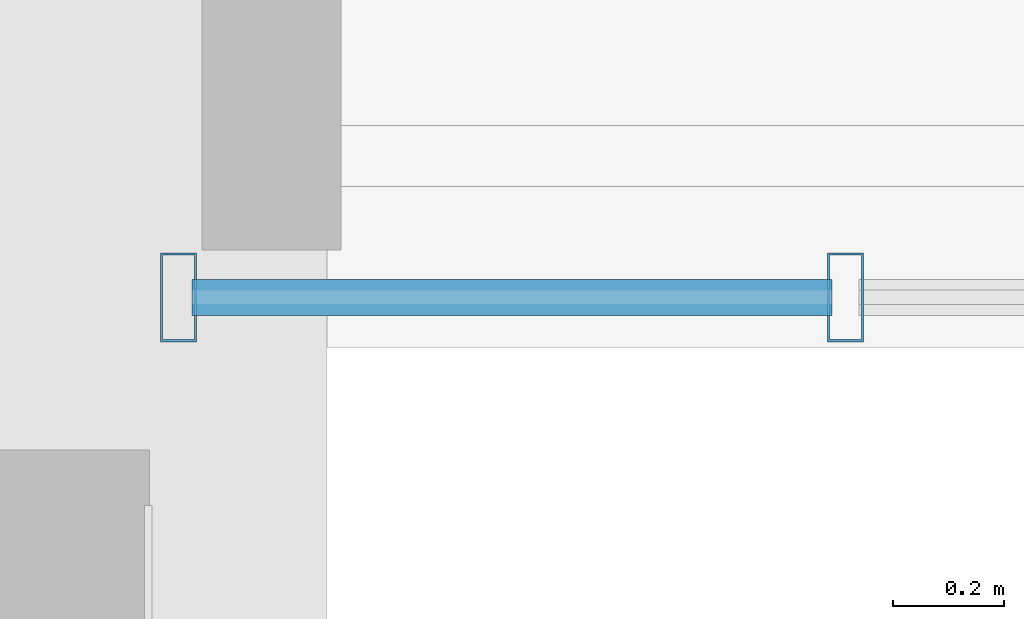
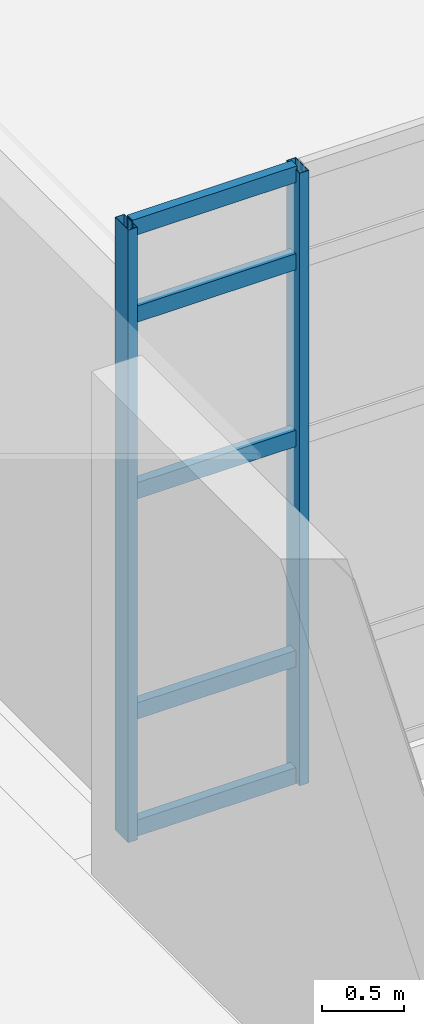
# One storey, part 37 of 100: 7 members, 1 element without a shape of its own.
"""IFC4 building model written with IfcOpenShell, lengths in metres."""

from ifc_helpers import new_model, si_unit, derived_unit, direction, frame, origin, origin_2d, place, context, subcontext, project, spatial, hollow_rectangle, extrude, material, layer, layer_set, material_profile, profile_set, type_object, element, aggregate, save


model = new_model("IFC4")

# Units and contexts
model_context = context("Model", 3, precision=1e-05, world=origin(), true_north=direction((0.0, 1.0)))
body_context = subcontext(model_context, "Body", "Model", "MODEL_VIEW")
ifc_project = project(units=[si_unit("LENGTHUNIT", "METRE"), si_unit("AREAUNIT", "SQUARE_METRE"), si_unit("VOLUMEUNIT", "CUBIC_METRE"), si_unit("PLANEANGLEUNIT", "RADIAN"), si_unit("MASSUNIT", "GRAM", prefix="KILO"), derived_unit("THERMALTRANSMITTANCEUNIT", [(si_unit("POWERUNIT", "WATT"), 1), (si_unit("LENGTHUNIT", "METRE"), -2), (si_unit("THERMODYNAMICTEMPERATUREUNIT", "KELVIN"), -1)])], contexts=[model_context])

# Site, building, storey
site_placement = place(None, origin())
site = spatial("IfcSite", under=ifc_project, at=site_placement, CompositionType="ELEMENT")
building_placement = place(site_placement, origin())
building = spatial("IfcBuilding", under=site, at=building_placement, Name="Nallur Shell Playhouse", CompositionType="ELEMENT")
storey_placement = place(building_placement, frame((0.0, 0.0, 10.199951171875)))
storey = spatial("IfcBuildingStorey", under=building, at=storey_placement, Name="L03", CompositionType="ELEMENT", Elevation=10.199951171875)

# Curtain wall, members
ifc_material_1 = material(Name="Anodised Aluminium Double-Glazed Facade System", Category="aluminium")
ifc_layer = layer(ifc_material_1, 0.1640625)
ifc_layer_set = layer_set([ifc_layer], Name="Anodised Aluminium Double-Glazed Facade System")
curtain_wall_type = type_object("IfcCurtainWallType", Name="CW-UNIT-01", PredefinedType="NOTDEFINED", material=ifc_layer_set)
curtain_wall_placement = place(storey_placement, origin())
curtain_wall = element("IfcCurtainWall", 1, at=curtain_wall_placement, inside=storey, type_object=curtain_wall_type, Name="Unitised curtain wall CW-097 (L03)", PredefinedType="NOTDEFINED")
ifc_material_2 = material(Name="Aluminium Alloy 6063-T6 Mullion", Category="aluminium")
ifc_material_profile_1 = material_profile(ifc_material_2, hollow_rectangle(XDim=0.06494140625, YDim=0.159912109375, WallThickness=0.00390625, at=origin_2d()), Name="ALU 65x160x4")
ifc_profile_set_1 = profile_set([ifc_material_profile_1], Name="Aluminium Alloy 6063-T6 Mullion")
member_type_1 = type_object("IfcMemberType", Name="MB-CW-MUL160", PredefinedType="MULLION", material=ifc_profile_set_1)
member_1_placement = place(storey_placement, frame((119.83447265625, 24.090087890625, -0.014892578125), z_axis=(0.0, 0.0, 1.0), x_axis=(-1.0, 0.0, 0.0)))
member_1 = element("IfcMember", 2, at=member_1_placement, type_object=member_type_1, Name="CW-01 mullion 3", PredefinedType="MULLION", context=body_context, shape_type="SweptSolid", body=[
    extrude(hollow_rectangle(XDim=0.06494140625, YDim=0.159912109375, WallThickness=0.00390625, at=origin_2d()), origin(), (0.0, 0.0, 1.0), 4.5390625),
])
member_2_placement = place(storey_placement, frame((118.632568359375, 24.090087890625, -0.014892578125), z_axis=(0.0, 0.0, 1.0), x_axis=(-1.0, 0.0, 0.0)))
member_2 = element("IfcMember", 3, at=member_2_placement, type_object=member_type_1, Name="CW-01 mullion 4", PredefinedType="MULLION", context=body_context, shape_type="SweptSolid", body=[
    extrude(hollow_rectangle(XDim=0.06494140625, YDim=0.159912109375, WallThickness=0.00390625, at=origin_2d()), origin(), (0.0, 0.0, 1.0), 4.5390625),
])
ifc_material_3 = material(Name="Aluminium Alloy 6063-T6 Transom", Category="aluminium")
ifc_material_profile_2 = material_profile(ifc_material_3, hollow_rectangle(XDim=0.06494140625, YDim=0.1201171875, WallThickness=0.00390625, at=origin_2d()), Name="ALU 65x120x4")
ifc_profile_set_2 = profile_set([ifc_material_profile_2], Name="Aluminium Alloy 6063-T6 Transom")
member_type_2 = type_object("IfcMemberType", Name="MB-CW-TRN120", PredefinedType="USERDEFINED", material=ifc_profile_set_2)
member_3_placement = place(storey_placement, frame((119.81005859375, 24.090087890625, 0.032470703125), z_axis=(-1.0, 0.0, 0.0), x_axis=(0.0, -1.0, 0.0)))
member_3 = element("IfcMember", 4, at=member_3_placement, type_object=member_type_2, Name="CW-01 transom 3.1", ObjectType="TRANSOM", PredefinedType="USERDEFINED", context=body_context, shape_type="SweptSolid", body=[
    extrude(hollow_rectangle(XDim=0.06494140625, YDim=0.1201171875, WallThickness=0.00390625, at=origin_2d()), origin(), (0.0, 0.0, 1.0), 1.153076171875),
])
member_4_placement = place(storey_placement, frame((119.81005859375, 24.090087890625, 0.900146484375), z_axis=(-1.0, 0.0, 0.0), x_axis=(0.0, -1.0, 0.0)))
member_4 = element("IfcMember", 5, at=member_4_placement, type_object=member_type_2, Name="CW-01 transom 3.2", ObjectType="TRANSOM", PredefinedType="USERDEFINED", context=body_context, shape_type="SweptSolid", body=[
    extrude(hollow_rectangle(XDim=0.06494140625, YDim=0.1201171875, WallThickness=0.00390625, at=origin_2d()), origin(), (0.0, 0.0, 1.0), 1.153076171875),
])
member_5_placement = place(storey_placement, frame((119.81005859375, 24.090087890625, 2.531005859375), z_axis=(-1.0, 0.0, 0.0), x_axis=(0.0, -1.0, 0.0)))
member_5 = element("IfcMember", 6, at=member_5_placement, type_object=member_type_2, Name="CW-01 transom 3.3", ObjectType="TRANSOM", PredefinedType="USERDEFINED", context=body_context, shape_type="SweptSolid", body=[
    extrude(hollow_rectangle(XDim=0.06494140625, YDim=0.1201171875, WallThickness=0.00390625, at=origin_2d()), origin(), (0.0, 0.0, 1.0), 1.153076171875),
])
member_6_placement = place(storey_placement, frame((119.81005859375, 24.090087890625, 3.840087890625), z_axis=(-1.0, 0.0, 0.0), x_axis=(0.0, -1.0, 0.0)))
member_6 = element("IfcMember", 7, at=member_6_placement, type_object=member_type_2, Name="CW-01 transom 3.4", ObjectType="TRANSOM", PredefinedType="USERDEFINED", context=body_context, shape_type="SweptSolid", body=[
    extrude(hollow_rectangle(XDim=0.06494140625, YDim=0.1201171875, WallThickness=0.00390625, at=origin_2d()), origin(), (0.0, 0.0, 1.0), 1.153076171875),
])
member_7_placement = place(storey_placement, frame((119.81005859375, 24.090087890625, 4.487548828125), z_axis=(-1.0, 0.0, 0.0), x_axis=(0.0, -1.0, 0.0)))
member_7 = element("IfcMember", 8, at=member_7_placement, type_object=member_type_2, Name="CW-01 transom 3.5", ObjectType="TRANSOM", PredefinedType="USERDEFINED", context=body_context, shape_type="SweptSolid", body=[
    extrude(hollow_rectangle(XDim=0.06494140625, YDim=0.1201171875, WallThickness=0.00390625, at=origin_2d()), origin(), (0.0, 0.0, 1.0), 1.153076171875),
])
aggregate(curtain_wall, [member_1, member_2, member_3, member_4, member_5, member_6, member_7])

save(model, "model.ifc")
